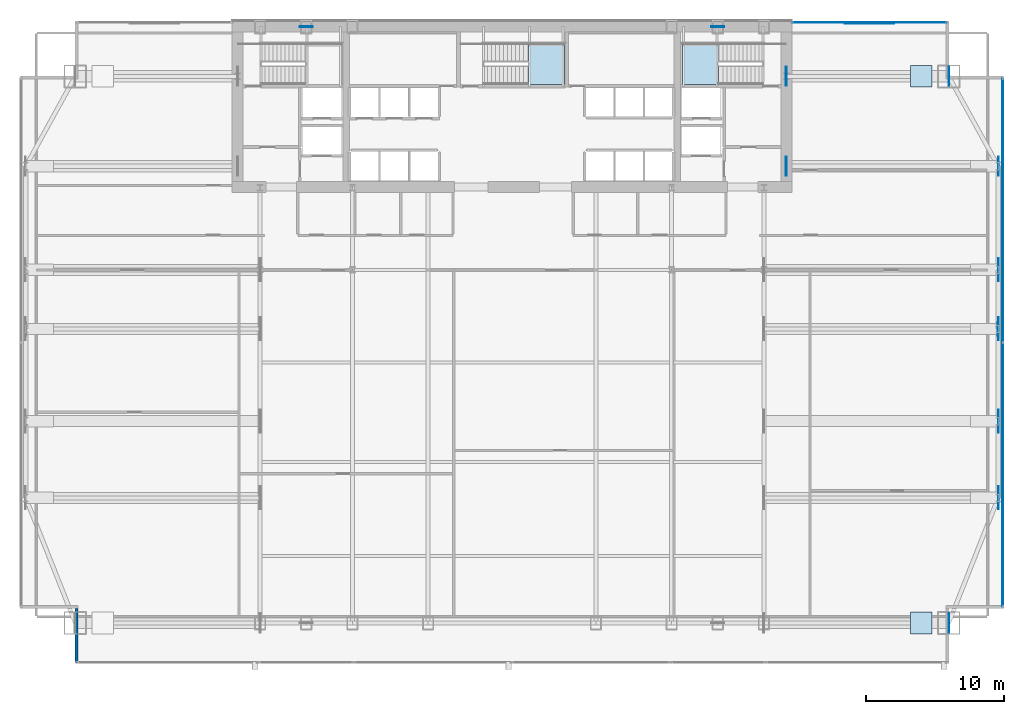
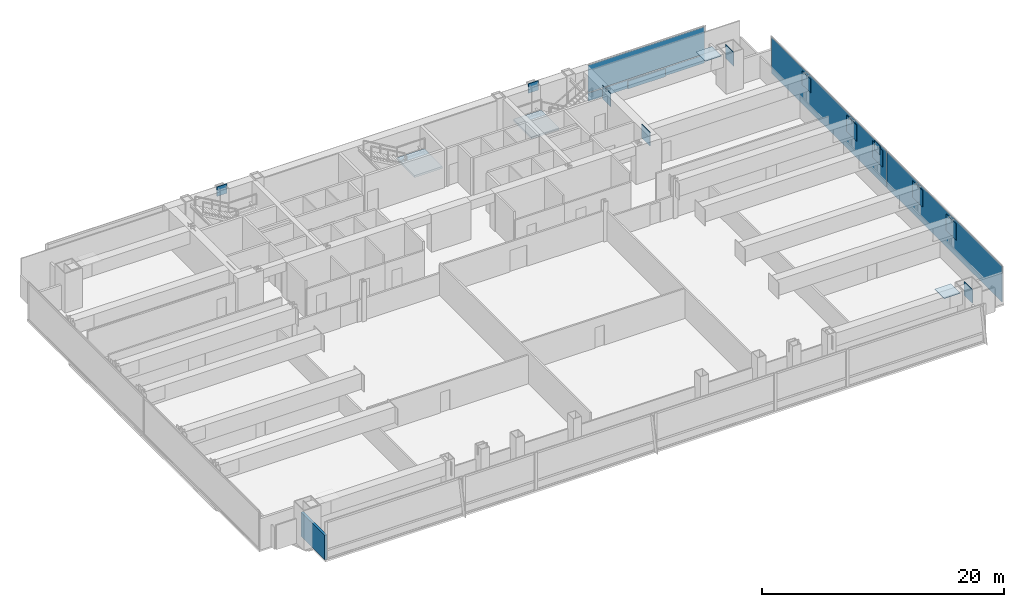
# One storey, part 25 of 32: 19 plates, 2 slabs, 1 wall, 4 elements without a shape of their own.
"""IFC4 building model written with IfcOpenShell, lengths in metres."""

from ifc_helpers import new_model, si_unit, direction, frame, frame_2d, origin, origin_2d, place, context, subcontext, project, spatial, polyline, rectangle, outline, extrude, material, layer, layer_set, type_object, element, aggregate, save


model = new_model("IFC4")

# Units and contexts
model_context = context("Model", 3, precision=1e-05, world=origin(), true_north=direction((0.0, 1.0)))
body_context = subcontext(model_context, "Body", "Model", "MODEL_VIEW")
ifc_project = project(units=[si_unit("LENGTHUNIT", "METRE"), si_unit("AREAUNIT", "SQUARE_METRE"), si_unit("VOLUMEUNIT", "CUBIC_METRE"), si_unit("PLANEANGLEUNIT", "RADIAN"), si_unit("MASSUNIT", "GRAM", prefix="KILO")], contexts=[model_context])

# Site, building, storey
site_placement = place(None, origin())
site = spatial("IfcSite", under=ifc_project, at=site_placement, CompositionType="ELEMENT")
building_placement = place(site_placement, origin())
building = spatial("IfcBuilding", under=site, at=building_placement, Name="Khoronbel Lancet Exchange", CompositionType="ELEMENT")
storey_placement = place(building_placement, frame((0.0, 0.0, 77.800048828125)))
storey = spatial("IfcBuildingStorey", under=building, at=storey_placement, Name="L18", CompositionType="ELEMENT", Elevation=77.800048828125)

# Curtain wall, plate
ifc_material_1 = material(Name="Low-E Solar Control Insulating Glass", Category="glass")
curtain_wall_type_1 = type_object("IfcCurtainWallType", Name="CW-1", PredefinedType="NOTDEFINED", material=ifc_material_1)
curtain_wall_1_placement = place(storey_placement, origin())
curtain_wall_1 = element("IfcCurtainWall", 1, at=curtain_wall_1_placement, inside=storey, type_object=curtain_wall_type_1, Name="Unitised curtain wall CW-L18-NEFLK", PredefinedType="NOTDEFINED")
ifc_material_2 = material(Name="Bronze-Anodised Aluminium 6063-T6", Category="aluminium")
ifc_layer_1 = layer(ifc_material_2, 0.050048828125, Name="Bronze-Anodised Aluminium 6063-T6")
ifc_layer_set_1 = layer_set([ifc_layer_1], Name="Bronze-Anodised Aluminium 6063-T6")
plate_type_1 = type_object("IfcPlateType", Name="PLT-CSP1", PredefinedType="SHEET", material=ifc_layer_set_1)
plate_1_placement = place(storey_placement, frame((62.320068359375, 53.550048828125, 0.0498046875), z_axis=(0.0, 0.0, 1.0), x_axis=(-1.0, 0.0, 0.0)))
plate_1 = element("IfcPlate", 2, at=plate_1_placement, type_object=plate_type_1, Name="Insulated bronze spandrel cassette CW-L18-NEFLK", PredefinedType="SHEET", context=body_context, shape_type="SweptSolid", body=[
    extrude(rectangle(XDim=3.60009765625, YDim=0.050048828125, at=origin_2d()), origin(), (0.0, 0.0, 1.0), 0.800048828125),
])

# Curtain wall, plates
curtain_wall_type_2 = type_object("IfcCurtainWallType", Name="CW-4", PredefinedType="NOTDEFINED", material=ifc_material_1)
curtain_wall_2_placement = place(storey_placement, origin())
curtain_wall_2 = element("IfcCurtainWall", 3, at=curtain_wall_2_placement, inside=storey, type_object=curtain_wall_type_2, Name="Unitised curtain wall CW-L18-E09", PredefinedType="NOTDEFINED")
plate_2_placement = place(storey_placement, frame((71.9599609375, 40.01123046875, 0.0849609375), z_axis=(0.0, 0.0, 1.0), x_axis=(0.0, -1.0, 0.0)))
plate_2 = element("IfcPlate", 4, at=plate_2_placement, type_object=plate_type_1, Name="CW4 panel 1.1", PredefinedType="CURTAIN_PANEL", context=body_context, shape_type="SweptSolid", body=[
    extrude(rectangle(XDim=19.047607421875, YDim=0.0380859375, at=origin_2d()), origin(), (0.0, 0.0, 1.0), 3.64990234375),
])
plate_3_placement = place(storey_placement, frame((71.9599609375, 20.888671875, 0.0849609375), z_axis=(0.0, 0.0, 1.0), x_axis=(0.0, -1.0, 0.0)))
plate_3 = element("IfcPlate", 5, at=plate_3_placement, type_object=plate_type_1, Name="CW4 panel 2.1", PredefinedType="CURTAIN_PANEL", context=body_context, shape_type="SweptSolid", body=[
    extrude(rectangle(XDim=19.047607421875, YDim=0.0380859375, at=origin_2d()), origin(), (0.0, 0.0, 1.0), 3.64990234375),
])
aggregate(curtain_wall_2, [plate_2, plate_3])

# Plate
ifc_layer_2 = layer(ifc_material_1, 0.035888671875, Name="Low-E Solar Control Insulating Glass")
ifc_layer_set_2 = layer_set([ifc_layer_2], Name="Low-E Solar Control Insulating Glass")
plate_type_2 = type_object("IfcPlateType", Name="PLT-CWP1", PredefinedType="CURTAIN_PANEL", material=ifc_layer_set_2)
plate_4_placement = place(storey_placement, frame((62.320068359375, 53.610107421875, 0.0849609375), z_axis=(0.0, 0.0, 1.0), x_axis=(-1.0, 0.0, 0.0)))
plate_4 = element("IfcPlate", 6, at=plate_4_placement, type_object=plate_type_2, Name="CW1 panel 1.1", PredefinedType="CURTAIN_PANEL", context=body_context, shape_type="SweptSolid", body=[
    extrude(rectangle(XDim=11.110107421875, YDim=0.0380859375, at=origin_2d()), origin(), (0.0, 0.0, 1.0), 0.822509765625),
])

plate_5_placement = place(storey_placement, frame((62.320068359375, 53.610107421875, 0.99267578125), z_axis=(0.0, 0.0, 1.0), x_axis=(-1.0, 0.0, 0.0)))
plate_5 = element("IfcPlate", 7, at=plate_5_placement, type_object=plate_type_2, Name="CW1 panel 1.2", PredefinedType="CURTAIN_PANEL", context=body_context, shape_type="SweptSolid", body=[
    extrude(rectangle(XDim=11.110107421875, YDim=0.0380859375, at=origin_2d()), origin(), (0.0, 0.0, 1.0), 2.742431640625),
])

aggregate(curtain_wall_1, [plate_4, plate_5, plate_1])

# Plates
ifc_material_3 = material(Name="Steel S460", Category="steel")
ifc_layer_3 = layer(ifc_material_3, 0.044921875, Name="Steel S460")
ifc_layer_set_3 = layer_set([ifc_layer_3], Name="Steel S460")
plate_type_3 = type_object("IfcPlateType", Name="PLT-ECP1", PredefinedType="USERDEFINED", material=ifc_layer_set_3)
for number, where, z_axis, x_axis, name in (
    (8, (68.06005859375, 10.14990234375, 2.469970703125), (0.0, 0.0, 1.0), (1.0, 0.0, 0.0), "Hollow end cap plate PLT-CAP-BM-L18-ZTG-MC-SE-1"),
    (9, (56.2900390625, 49.699951171875, 2.469970703125), (0.0, 0.0, 1.0), (-1.0, 0.0, 0.0), "Hollow end cap plate PLT-CAP-BM-L18-ZTG-MC-NE-0"),
    (10, (68.06005859375, 49.699951171875, 2.469970703125), (0.0, 0.0, 1.0), (1.0, 0.0, 0.0), "Hollow end cap plate PLT-CAP-BM-L18-ZTG-MC-NE-1"),
):
    element("IfcPlate", number, at=place(storey_placement, frame(where, z_axis=z_axis, x_axis=x_axis)), inside=storey, type_object=plate_type_3, Name=name, ObjectType="STIFFENER_PLATE", PredefinedType="USERDEFINED", context=body_context, shape_type="SweptSolid", body=[
        extrude(rectangle(XDim=0.044921875, YDim=1.3798828125, at=origin_2d()), origin(), (0.0, 0.0, 1.0), 1.3798828125),
    ])
for number, where, z_axis, x_axis, name in (
    (11, (71.639892578125, 19.199951171875, 2.18994140625), (0.0, 0.0, 1.0), (1.0, 0.0, 0.0), "Hollow end cap plate PLT-CAP-BM-L18-ZTG-LE1-1"),
    (12, (71.639892578125, 24.75, 2.18994140625), (0.0, 0.0, 1.0), (1.0, 0.0, 0.0), "Hollow end cap plate PLT-CAP-BM-L18-ZTG-LE2-1"),
    (13, (71.639892578125, 31.425048828125, 2.18994140625), (0.0, 0.0, 1.0), (1.0, 0.0, 0.0), "Hollow end cap plate PLT-CAP-BM-L18-ZTG-LE3-1"),
    (14, (71.639892578125, 35.699951171875, 2.18994140625), (0.0, 0.0, 1.0), (1.0, 0.0, 0.0), "Hollow end cap plate PLT-CAP-BM-L18-ZTG-LE4-1"),
):
    element("IfcPlate", number, at=place(storey_placement, frame(where, z_axis=z_axis, x_axis=x_axis)), inside=storey, type_object=plate_type_3, Name=name, ObjectType="STIFFENER_PLATE", PredefinedType="USERDEFINED", context=body_context, shape_type="SweptSolid", body=[
        extrude(rectangle(XDim=0.044921875, YDim=1.659912109375, at=origin_2d()), origin(), (0.0, 0.0, 1.0), 1.659912109375),
    ])
for number, where, z_axis, x_axis, name in (
    (15, (56.2900390625, 43.199951171875, 2.469970703125), (0.0, 0.0, 1.0), (-1.0, 0.0, 0.0), "Hollow end cap plate PLT-CAP-BM-L18-ZTG-LE5-0"),
    (16, (71.639892578125, 43.199951171875, 2.469970703125), (0.0, 0.0, 1.0), (1.0, 0.0, 0.0), "Hollow end cap plate PLT-CAP-BM-L18-ZTG-LE5-1"),
):
    element("IfcPlate", number, at=place(storey_placement, frame(where, z_axis=z_axis, x_axis=x_axis)), inside=storey, type_object=plate_type_3, Name=name, ObjectType="STIFFENER_PLATE", PredefinedType="USERDEFINED", context=body_context, shape_type="SweptSolid", body=[
        extrude(rectangle(XDim=0.044921875, YDim=1.3798828125, at=origin_2d()), origin(), (0.0, 0.0, 1.0), 1.3798828125),
    ])
plate_6_placement = place(storey_placement, frame((0.0, 0.0, 3.967041015625)))
element("IfcPlate", 17, at=plate_6_placement, inside=storey, type_object=plate_type_3, Name="Hollow end cap plate PLT-CAP-COL-L19-MC-SE-BOT", ObjectType="STIFFENER_PLATE", PredefinedType="USERDEFINED", context=body_context, shape_type="SweptSolid", body=[
    extrude(outline(polyline([(65.27001953125, 9.3701171875), (66.830078125, 9.3701171875), (66.830078125, 10.929931640625), (65.27001953125, 10.929931640625), (65.27001953125, 9.3701171875)])), origin(), (0.0, 0.0, 1.0), 0.044921875),
])
plate_7_placement = place(storey_placement, frame((0.0, 0.0, 3.967041015625)))
element("IfcPlate", 18, at=plate_7_placement, inside=storey, type_object=plate_type_3, Name="Hollow end cap plate PLT-CAP-COL-L19-MC-NE-BOT", ObjectType="STIFFENER_PLATE", PredefinedType="USERDEFINED", context=body_context, shape_type="SweptSolid", body=[
    extrude(outline(polyline([(65.27001953125, 48.919921875), (66.830078125, 48.919921875), (66.830078125, 50.47998046875), (65.27001953125, 50.47998046875), (65.27001953125, 48.919921875)])), origin(), (0.0, 0.0, 1.0), 0.044921875),
])
ifc_layer_4 = layer(ifc_material_3, 0.06005859375, Name="Steel S460")
ifc_layer_set_4 = layer_set([ifc_layer_4], Name="Steel S460")
plate_type_4 = type_object("IfcPlateType", Name="PLT-ND1", PredefinedType="USERDEFINED", material=ifc_layer_set_4)
for number, where, z_axis, x_axis, name in (
    (19, (21.5625, 53.280029296875, 3.1748046875), (0.0, 0.0, 1.0), (1.0, 0.0, 0.0), "ND1 perimeter brace node gusset T05-N-W"),
    (20, (51.33740234375, 53.280029296875, 3.1748046875), (0.0, 0.0, 1.0), (1.0, 0.0, 0.0), "ND1 perimeter brace node gusset T05-N-E"),
    (21, (71.6298828125, 31.425048828125, 3.1748046875), (0.0, 0.0, 1.0), (0.0, 1.0, 0.0), "ND1 perimeter brace node gusset T05-E-P"),
):
    element("IfcPlate", number, at=place(storey_placement, frame(where, z_axis=z_axis, x_axis=x_axis)), inside=storey, type_object=plate_type_4, Name=name, ObjectType="GUSSET_PLATE", PredefinedType="USERDEFINED", context=body_context, shape_type="SweptSolid", body=[
        extrude(rectangle(XDim=0.949951171875, YDim=0.06005859375, at=origin_2d()), origin(), (0.0, 0.0, 1.0), 0.949951171875),
    ])

# Stair, slab
ifc_material_4 = material(Name="Concrete C40/50", Category="concrete")
stair_type = type_object("IfcStairType", Name="STR-CORE150", PredefinedType="HALF_TURN_STAIR", material=ifc_material_4)
stair_1_placement = place(storey_placement, origin())
stair_1 = element("IfcStair", 22, at=stair_1_placement, inside=storey, type_object=stair_type, Name="L18 Protected Exit Stair ST2", PredefinedType="HALF_TURN_STAIR")
ifc_layer_5 = layer(ifc_material_4, 0.199951171875, Name="Concrete C40/50")
ifc_layer_set_5 = layer_set([ifc_layer_5], Name="Concrete C40/50")
slab_type = type_object("IfcSlabType", Name="SL-LND180", PredefinedType="LANDING", material=ifc_layer_set_5)
slab_1_placement = place(storey_placement, frame((0.0, 0.0, 1.800048828125)))
slab_1 = element("IfcSlab", 23, at=slab_1_placement, type_object=slab_type, Name="ST2 landing 1", PredefinedType="LANDING", context=body_context, shape_type="SweptSolid", body=[
    extrude(outline(polyline([(51.409912109375, 52.10009765625), (48.75, 52.10009765625), (48.75, 49.1201171875), (51.409912109375, 49.1201171875), (51.409912109375, 52.10009765625)])), origin(), (0.0, 0.0, 1.0), 0.199951171875),
])
aggregate(stair_1, [slab_1])

stair_2_placement = place(storey_placement, origin())
stair_2 = element("IfcStair", 24, at=stair_2_placement, inside=storey, type_object=stair_type, Name="L18 Protected Exit Stair ST3", PredefinedType="HALF_TURN_STAIR")
slab_2_placement = place(storey_placement, frame((0.0, 0.0, 1.800048828125)))
slab_2 = element("IfcSlab", 25, at=slab_2_placement, type_object=slab_type, Name="ST3 landing 1", PredefinedType="LANDING", context=body_context, shape_type="SweptSolid", body=[
    extrude(outline(polyline([(37.590087890625, 49.1201171875), (40.25, 49.1201171875), (40.25, 52.10009765625), (37.590087890625, 52.10009765625), (37.590087890625, 49.1201171875)])), origin(), (0.0, 0.0, 1.0), 0.199951171875),
])
aggregate(stair_2, [slab_2])

# Wall
ifc_material_5 = material(Name="Precast concrete C40/50", Category="concrete")
ifc_layer_6 = layer(ifc_material_5, 0.25, Name="Precast concrete C40/50")
ifc_layer_set_6 = layer_set([ifc_layer_6], Name="Precast concrete C40/50")
wall_type = type_object("IfcWallType", Name="WL-EXT250", PredefinedType="SOLIDWALL", material=ifc_layer_set_6)
wall_placement = place(storey_placement, frame((4.93994140625, 7.27001953125, 0.0), z_axis=(0.0, 0.0, 1.0), x_axis=(0.0, 1.0, 0.0)))
element("IfcWall", 26, at=wall_placement, inside=storey, type_object=wall_type, Name="Level L18 notched-corner limestone pier 01", PredefinedType="SOLIDWALL", context=body_context, shape_type="SweptSolid", body=[
    extrude(rectangle(XDim=3.909912109375, YDim=0.219970703125, at=frame_2d((1.955078125, 0.0))), origin(), (0.0, 0.0, 1.0), 2.469970703125),
])

save(model, "model.ifc")
